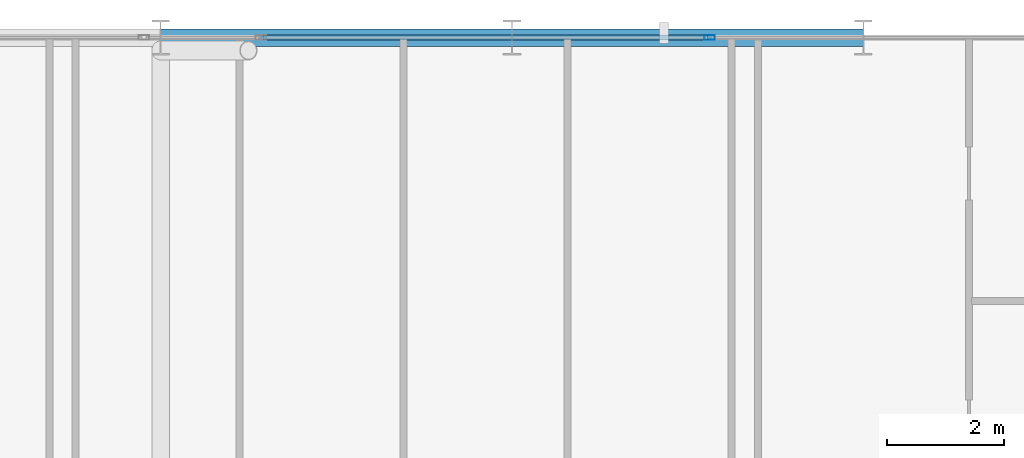
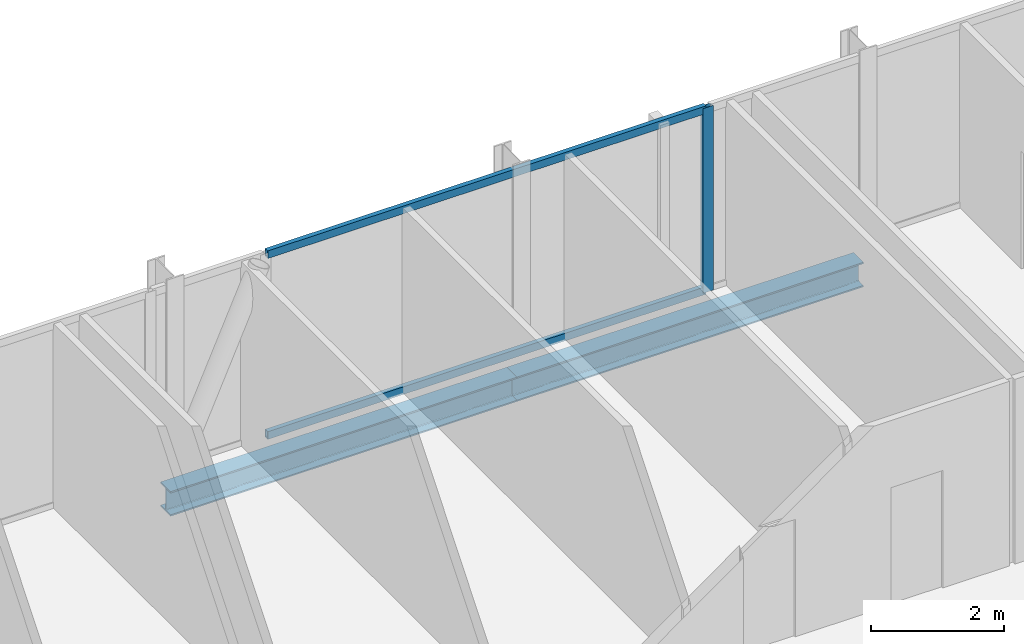
# One storey, part 19 of 30: 3 members, 2 beams, 1 element without a shape of its own.
"""IFC4 building model written with IfcOpenShell, lengths in metres."""

from ifc_helpers import new_model, si_unit, direction, frame, origin, origin_2d, place, context, subcontext, project, spatial, hollow_rectangle, i_section, extrude, material, layer, layer_set, material_profile, profile_set, type_object, element, aggregate, save


model = new_model("IFC4")

# Units and contexts
model_context = context("Model", 3, precision=1e-05, world=origin(), true_north=direction((0.0, 1.0)))
body_context = subcontext(model_context, "Body", "Model", "MODEL_VIEW")
ifc_project = project(units=[si_unit("LENGTHUNIT", "METRE"), si_unit("AREAUNIT", "SQUARE_METRE"), si_unit("VOLUMEUNIT", "CUBIC_METRE"), si_unit("PLANEANGLEUNIT", "RADIAN"), si_unit("MASSUNIT", "GRAM", prefix="KILO")], contexts=[model_context])

# Site, building, storey
site_placement = place(None, origin())
site = spatial("IfcSite", under=ifc_project, at=site_placement, CompositionType="ELEMENT")
building_placement = place(site_placement, origin())
building = spatial("IfcBuilding", under=site, at=building_placement, Name="Keshet Zoharim Tower", CompositionType="ELEMENT")
storey_placement = place(building_placement, frame((0.0, 0.0, 116.800048828125)))
storey = spatial("IfcBuildingStorey", under=building, at=storey_placement, Name="L28", CompositionType="ELEMENT", Elevation=116.800048828125)

# Beams
ifc_material_1 = material(Name="Steel S355", Category="steel")
ifc_material_profile_1 = material_profile(ifc_material_1, i_section(OverallWidth=0.300048828125, OverallDepth=0.449951171875, WebThickness=0.013916015625, FlangeThickness=0.02587890625, FilletRadius=0.027099609375, at=origin_2d()), Name="HEB450")
ifc_profile_set_1 = profile_set([ifc_material_profile_1], Name="Steel S355")
beam_type = type_object("IfcBeamType", Name="BM-WEB-HB450", PredefinedType="BEAM", material=ifc_profile_set_1)
for number, where, z_axis, x_axis, name in (
    (1, (33.0, 53.89990234375, -0.5400390625), (1.0, 0.0, 0.0), (0.0, 1.0, 0.0), "L28 Primary Girder X-021"),
    (2, (39.0, 53.89990234375, -0.5400390625), (1.0, 0.0, 0.0), (0.0, 1.0, 0.0), "L28 Primary Girder X-022"),
):
    element("IfcBeam", number, at=place(storey_placement, frame(where, z_axis=z_axis, x_axis=x_axis)), inside=storey, type_object=beam_type, Name=name, PredefinedType="BEAM", context=body_context, shape_type="SweptSolid", body=[
        extrude(i_section(OverallWidth=0.300048828125, OverallDepth=0.449951171875, WebThickness=0.013916015625, FlangeThickness=0.02587890625, FilletRadius=0.027099609375, at=origin_2d()), origin(), (0.0, 0.0, 1.0), 6.0),
    ])

# Curtain wall, members
ifc_material_2 = material(Name="Aluminium 6063-T6", Category="aluminium")
ifc_layer = layer(ifc_material_2, 0.159912109375)
ifc_layer_set = layer_set([ifc_layer], Name="Aluminium 6063-T6")
curtain_wall_type = type_object("IfcCurtainWallType", Name="CW-SYS-03", PredefinedType="NOTDEFINED", material=ifc_layer_set)
curtain_wall_placement = place(storey_placement, origin())
curtain_wall = element("IfcCurtainWall", 3, at=curtain_wall_placement, inside=storey, type_object=curtain_wall_type, Name="L28 Unitised Curtain Wall 13 Part 5", PredefinedType="NOTDEFINED")
ifc_material_profile_2 = material_profile(ifc_material_2, hollow_rectangle(XDim=0.080078125, YDim=0.179931640625, WallThickness=0.00439453125, at=origin_2d()), Name="MUL-80x180")
ifc_profile_set_2 = profile_set([ifc_material_profile_2], Name="Aluminium 6063-T6")
member_type_1 = type_object("IfcMemberType", Name="CWM-M18", PredefinedType="MULLION", material=ifc_profile_set_2)
member_1_placement = place(storey_placement, frame((42.3740234375, 53.89990234375, 0.0), z_axis=(0.0, 0.0, 1.0), x_axis=(0.0, 1.0, 0.0)))
member_1 = element("IfcMember", 4, at=member_1_placement, type_object=member_type_1, Name="CW-03 mullion 2", PredefinedType="MULLION", context=body_context, shape_type="SweptSolid", body=[
    extrude(hollow_rectangle(XDim=0.080078125, YDim=0.179931640625, WallThickness=0.00439453125, at=origin_2d()), origin(), (0.0, 0.0, 1.0), 3.3798828125),
])
ifc_material_profile_3 = material_profile(ifc_material_2, hollow_rectangle(XDim=0.080078125, YDim=0.139892578125, WallThickness=0.00390625, at=origin_2d()), Name="TRN-80x140")
ifc_profile_set_3 = profile_set([ifc_material_profile_3], Name="Aluminium 6063-T6")
member_type_2 = type_object("IfcMemberType", Name="CWT-T14", PredefinedType="USERDEFINED", material=ifc_profile_set_3)
member_2_placement = place(storey_placement, frame((34.748046875, 53.89990234375, 0.034912109375), z_axis=(1.0, 0.0, 0.0), x_axis=(0.0, 1.0, 0.0)))
member_2 = element("IfcMember", 5, at=member_2_placement, type_object=member_type_2, Name="CW-03 transom 1.1", ObjectType="TRANSOM", PredefinedType="USERDEFINED", context=body_context, shape_type="SweptSolid", body=[
    extrude(hollow_rectangle(XDim=0.080078125, YDim=0.139892578125, WallThickness=0.00390625, at=origin_2d()), origin(), (0.0, 0.0, 1.0), 7.591064453125),
])
member_3_placement = place(storey_placement, frame((34.748046875, 53.89990234375, 3.344970703125), z_axis=(1.0, 0.0, 0.0), x_axis=(0.0, 1.0, 0.0)))
member_3 = element("IfcMember", 6, at=member_3_placement, type_object=member_type_2, Name="CW-03 transom 1.2", ObjectType="TRANSOM", PredefinedType="USERDEFINED", context=body_context, shape_type="SweptSolid", body=[
    extrude(hollow_rectangle(XDim=0.080078125, YDim=0.139892578125, WallThickness=0.00390625, at=origin_2d()), origin(), (0.0, 0.0, 1.0), 7.591064453125),
])
aggregate(curtain_wall, [member_1, member_2, member_3])

save(model, "model.ifc")
